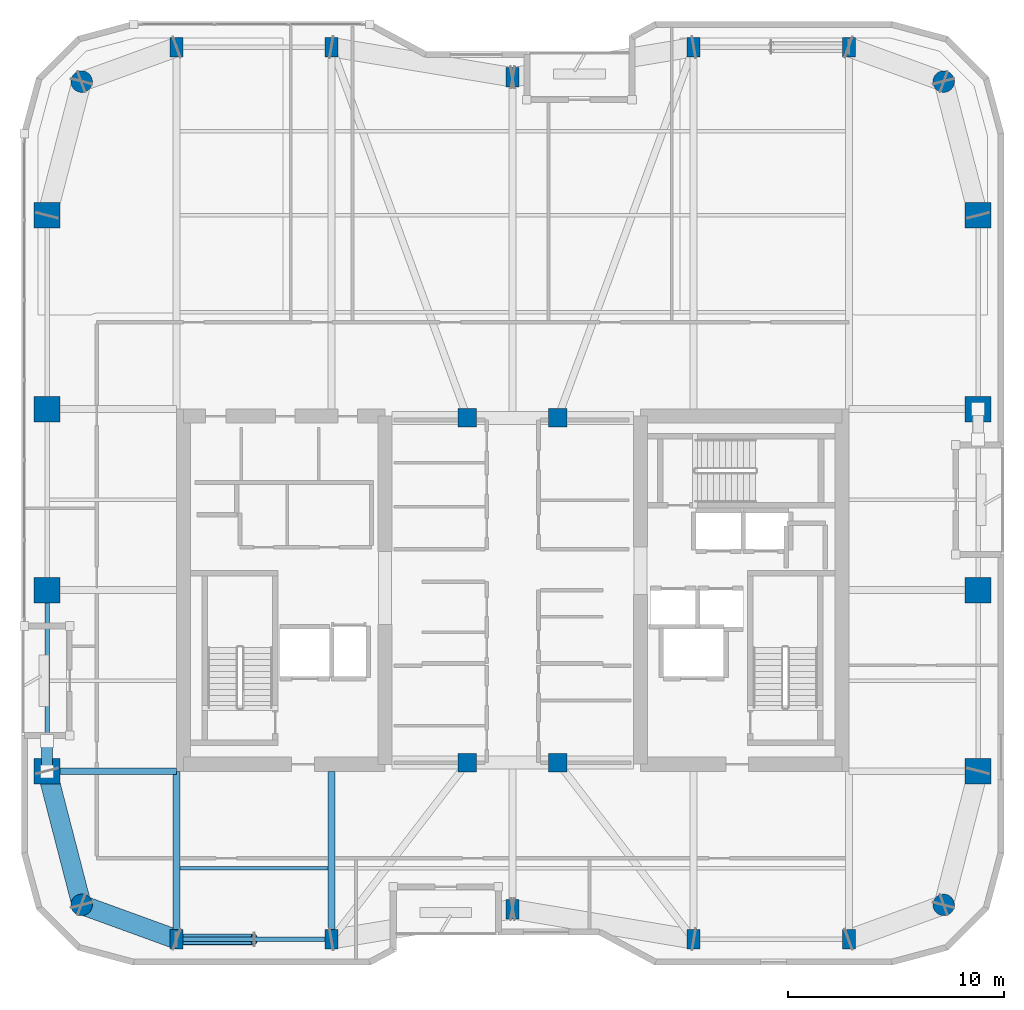
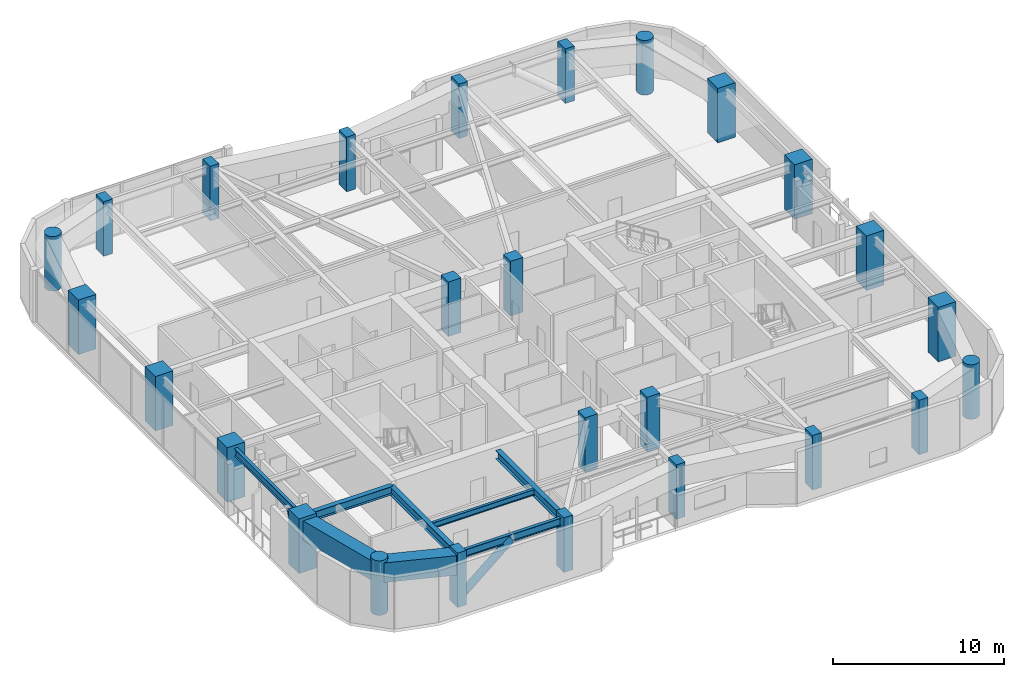
# One storey, part 1 of 21: 26 columns, 8 beams, 2 members.
"""IFC4 building model written with IfcOpenShell, lengths in metres."""

from ifc_helpers import new_model, si_unit, direction, frame, origin, origin_2d, place, context, subcontext, project, spatial, rectangle, hollow_rectangle, circle, hollow_circle, i_section, extrude, material, material_profile, profile_set, type_object, element, save


model = new_model("IFC4")

# Units and contexts
model_context = context("Model", 3, precision=1e-05, world=origin(), true_north=direction((0.0, 1.0)))
body_context = subcontext(model_context, "Body", "Model", "MODEL_VIEW")
ifc_project = project(units=[si_unit("LENGTHUNIT", "METRE"), si_unit("AREAUNIT", "SQUARE_METRE"), si_unit("VOLUMEUNIT", "CUBIC_METRE"), si_unit("PLANEANGLEUNIT", "RADIAN"), si_unit("MASSUNIT", "GRAM", prefix="KILO")], contexts=[model_context])

# Site, building, storey
site_placement = place(None, origin())
site = spatial("IfcSite", under=ifc_project, at=site_placement, CompositionType="ELEMENT")
building_placement = place(site_placement, origin())
building = spatial("IfcBuilding", under=site, at=building_placement, Name="Kiyonajd Concourse Tower", CompositionType="ELEMENT")
storey_placement = place(building_placement, frame((0.0, 0.0, 227.10009765625)))
storey = spatial("IfcBuildingStorey", under=building, at=storey_placement, Name="L57", CompositionType="ELEMENT", Elevation=227.10009765625)

# Columns
ifc_material_1 = material(Name="Concrete C60/75", Category="concrete")
ifc_material_profile_1 = material_profile(ifc_material_1, rectangle(XDim=0.60009765625, YDim=0.89990234375, at=origin_2d()), Name="RC-900x600")
ifc_profile_set_1 = profile_set([ifc_material_profile_1], Name="Concrete C60/75")
column_type_1 = type_object("IfcColumnType", Name="CL-BLADE-900", PredefinedType="COLUMN", material=ifc_profile_set_1)
for number, where, z_axis, x_axis, name in (
    (1, (32.39990234375, 19.800048828125, 0.0), (0.0, 0.0, 1.0), (1.0, 0.0, 0.0), "L57 Perimeter Bundled Tube Column"),
    (2, (32.39990234375, 61.199951171875, 0.0), (0.0, 0.0, 1.0), (1.0, 0.0, 0.0), "L57 Perimeter Bundled Tube Column"),
    (3, (39.60009765625, 19.800048828125, 0.0), (0.0, 0.0, 1.0), (1.0, 0.0, 0.0), "L57 Perimeter Bundled Tube Column"),
    (4, (39.60009765625, 61.199951171875, 0.0), (0.0, 0.0, 1.0), (1.0, 0.0, 0.0), "L57 Perimeter Bundled Tube Column"),
    (5, (48.0, 21.199951171875, 0.0), (0.0, 0.0, 1.0), (1.0, 0.0, 0.0), "L57 Perimeter Bundled Tube Column"),
    (6, (48.0, 59.800048828125, 0.0), (0.0, 0.0, 1.0), (1.0, 0.0, 0.0), "L57 Perimeter Bundled Tube Column"),
    (7, (56.39990234375, 19.800048828125, 0.0), (0.0, 0.0, 1.0), (1.0, 0.0, 0.0), "L57 Perimeter Bundled Tube Column"),
    (8, (56.39990234375, 61.199951171875, 0.0), (0.0, 0.0, 1.0), (1.0, 0.0, 0.0), "L57 Perimeter Bundled Tube Column"),
    (9, (63.60009765625, 19.800048828125, 0.0), (0.0, 0.0, 1.0), (1.0, 0.0, 0.0), "L57 Perimeter Bundled Tube Column"),
    (10, (63.60009765625, 61.199951171875, 0.0), (0.0, 0.0, 1.0), (1.0, 0.0, 0.0), "L57 Perimeter Bundled Tube Column"),
):
    element("IfcColumn", number, at=place(storey_placement, frame(where, z_axis=z_axis, x_axis=x_axis)), inside=storey, type_object=column_type_1, Name=name, PredefinedType="COLUMN", context=body_context, shape_type="SweptSolid", body=[
        extrude(rectangle(XDim=0.60009765625, YDim=0.89990234375, at=origin_2d()), origin(), (0.0, 0.0, 1.0), 3.89990234375),
    ])
ifc_material_profile_2 = material_profile(ifc_material_1, circle(Radius=0.5, at=origin_2d()), Name="RCC-D1000")
ifc_profile_set_2 = profile_set([ifc_material_profile_2], Name="Concrete C60/75")
column_type_2 = type_object("IfcColumnType", Name="CL-RND-1000", PredefinedType="COLUMN", material=ifc_profile_set_2)
for number, where, z_axis, x_axis, name in (
    (11, (28.0, 21.39990234375, 0.0), (0.0, 0.0, 1.0), (1.0, 0.0, 0.0), "L57 Bundled Tube Corner Column South West"),
    (12, (68.0, 21.39990234375, 0.0), (0.0, 0.0, 1.0), (1.0, 0.0, 0.0), "L57 Bundled Tube Corner Column South East"),
    (13, (68.0, 59.60009765625, 0.0), (0.0, 0.0, 1.0), (1.0, 0.0, 0.0), "L57 Bundled Tube Corner Column North East"),
    (14, (28.0, 59.60009765625, 0.0), (0.0, 0.0, 1.0), (1.0, 0.0, 0.0), "L57 Bundled Tube Corner Column North West"),
):
    element("IfcColumn", number, at=place(storey_placement, frame(where, z_axis=z_axis, x_axis=x_axis)), inside=storey, type_object=column_type_2, Name=name, PredefinedType="COLUMN", context=body_context, shape_type="SweptSolid", body=[
        extrude(circle(Radius=0.5, at=origin_2d()), origin(), (0.0, 0.0, 1.0), 3.89990234375),
    ])
ifc_material_2 = material(Name="Concrete C70/85", Category="concrete")
ifc_material_profile_3 = material_profile(ifc_material_2, rectangle(XDim=1.199951171875, YDim=1.199951171875, at=origin_2d()), Name="RC-1200x1200")
ifc_profile_set_3 = profile_set([ifc_material_profile_3], Name="Concrete C70/85")
column_type_3 = type_object("IfcColumnType", Name="CL-TUBE-1200", PredefinedType="COLUMN", material=ifc_profile_set_3)
for number, where, z_axis, x_axis, name in (
    (15, (26.39990234375, 27.60009765625, 0.0), (0.0, 0.0, 1.0), (1.0, 0.0, 0.0), "L57 Perimeter Bundled Tube Column"),
    (16, (69.60009765625, 27.60009765625, 0.0), (0.0, 0.0, 1.0), (1.0, 0.0, 0.0), "L57 Perimeter Bundled Tube Column"),
    (17, (26.39990234375, 36.0, 0.0), (0.0, 0.0, 1.0), (1.0, 0.0, 0.0), "L57 Perimeter Bundled Tube Column"),
    (18, (69.60009765625, 36.0, 0.0), (0.0, 0.0, 1.0), (1.0, 0.0, 0.0), "L57 Perimeter Bundled Tube Column"),
    (19, (26.39990234375, 44.39990234375, 0.0), (0.0, 0.0, 1.0), (1.0, 0.0, 0.0), "L57 Perimeter Bundled Tube Column"),
    (20, (69.60009765625, 44.39990234375, 0.0), (0.0, 0.0, 1.0), (1.0, 0.0, 0.0), "L57 Perimeter Bundled Tube Column"),
    (21, (26.39990234375, 53.39990234375, 0.0), (0.0, 0.0, 1.0), (1.0, 0.0, 0.0), "L57 Perimeter Bundled Tube Column"),
    (22, (69.60009765625, 53.39990234375, 0.0), (0.0, 0.0, 1.0), (1.0, 0.0, 0.0), "L57 Perimeter Bundled Tube Column"),
):
    element("IfcColumn", number, at=place(storey_placement, frame(where, z_axis=z_axis, x_axis=x_axis)), inside=storey, type_object=column_type_3, Name=name, PredefinedType="COLUMN", context=body_context, shape_type="SweptSolid", body=[
        extrude(rectangle(XDim=1.199951171875, YDim=1.199951171875, at=origin_2d()), origin(), (0.0, 0.0, 1.0), 3.89990234375),
    ])
ifc_material_profile_4 = material_profile(ifc_material_1, rectangle(XDim=0.85009765625, YDim=0.85009765625, at=origin_2d()), Name="RC-850x850")
ifc_profile_set_4 = profile_set([ifc_material_profile_4], Name="Concrete C60/75")
column_type_4 = type_object("IfcColumnType", Name="CL-TUBE-850", PredefinedType="COLUMN", material=ifc_profile_set_4)
for number, where, z_axis, x_axis, name in (
    (23, (45.89990234375, 28.0, 0.0), (0.0, 0.0, 1.0), (1.0, 0.0, 0.0), "L57 Core Tie Column South West"),
    (24, (50.10009765625, 28.0, 0.0), (0.0, 0.0, 1.0), (1.0, 0.0, 0.0), "L57 Core Tie Column South East"),
    (25, (45.89990234375, 44.0, 0.0), (0.0, 0.0, 1.0), (1.0, 0.0, 0.0), "L57 Core Tie Column North West"),
    (26, (50.10009765625, 44.0, 0.0), (0.0, 0.0, 1.0), (1.0, 0.0, 0.0), "L57 Core Tie Column North East"),
):
    element("IfcColumn", number, at=place(storey_placement, frame(where, z_axis=z_axis, x_axis=x_axis)), inside=storey, type_object=column_type_4, Name=name, PredefinedType="COLUMN", context=body_context, shape_type="SweptSolid", body=[
        extrude(rectangle(XDim=0.85009765625, YDim=0.85009765625, at=origin_2d()), origin(), (0.0, 0.0, 1.0), 3.89990234375),
    ])

# Beams
ifc_material_3 = material(Name="Steel ASTM A992 Grade 50", Category="steel")
ifc_material_profile_5 = material_profile(ifc_material_3, i_section(OverallWidth=0.180908203125, OverallDepth=0.4169921875, WebThickness=0.010986328125, FlangeThickness=0.018310546875, at=origin_2d()), Name="W410X85")
ifc_profile_set_5 = profile_set([ifc_material_profile_5], Name="Steel ASTM A992 Grade 50")
beam_type_1 = type_object("IfcBeamType", Name="BM-JST-410", PredefinedType="JOIST", material=ifc_profile_set_5)
beam_1_placement = place(storey_placement, frame((32.56201171875, 23.10009765625, 3.471435546875), z_axis=(1.0, 0.0, 0.0), x_axis=(0.0, 1.0, 0.0)))
element("IfcBeam", 27, at=beam_1_placement, inside=storey, type_object=beam_type_1, Name="L57 Secondary Floor Joist", PredefinedType="JOIST", context=body_context, shape_type="SweptSolid", body=[
    extrude(i_section(OverallWidth=0.180908203125, OverallDepth=0.4169921875, WebThickness=0.010986328125, FlangeThickness=0.018310546875, at=origin_2d()), origin(), (0.0, 0.0, 1.0), 6.8759765625),
])
ifc_material_profile_6 = material_profile(ifc_material_3, i_section(OverallWidth=0.214111328125, OverallDepth=0.549072265625, WebThickness=0.0146484375, FlangeThickness=0.023681640625, at=origin_2d()), Name="W530X138")
ifc_profile_set_6 = profile_set([ifc_material_profile_6], Name="Steel ASTM A992 Grade 50")
beam_type_2 = type_object("IfcBeamType", Name="BM-SPAN-530A", PredefinedType="SPANDREL", material=ifc_profile_set_6)
beam_2_placement = place(storey_placement, frame((32.39990234375, 19.800048828125, 3.405517578125), z_axis=(1.0, 0.0, 0.0), x_axis=(0.0, 1.0, 0.0)))
element("IfcBeam", 28, at=beam_2_placement, inside=storey, type_object=beam_type_2, Name="L57 Perimeter Bundled Tube Spandrel", PredefinedType="SPANDREL", context=body_context, shape_type="SweptSolid", body=[
    extrude(i_section(OverallWidth=0.214111328125, OverallDepth=0.549072265625, WebThickness=0.0146484375, FlangeThickness=0.023681640625, at=origin_2d()), origin(), (0.0, 0.0, 1.0), 7.2001953125),
])
beam_3_placement = place(storey_placement, frame((26.39990234375, 36.0, 3.405517578125), z_axis=(0.0, -1.0, 0.0), x_axis=(1.0, 0.0, 0.0)))
element("IfcBeam", 29, at=beam_3_placement, inside=storey, type_object=beam_type_2, Name="L57 Perimeter Bundled Tube Spandrel", PredefinedType="SPANDREL", context=body_context, shape_type="SweptSolid", body=[
    extrude(i_section(OverallWidth=0.214111328125, OverallDepth=0.549072265625, WebThickness=0.0146484375, FlangeThickness=0.023681640625, at=origin_2d()), origin(), (0.0, 0.0, 1.0), 8.39990234375),
])
ifc_material_profile_7 = material_profile(ifc_material_3, i_section(OverallWidth=0.323974609375, OverallDepth=0.611083984375, WebThickness=0.0126953125, FlangeThickness=0.01904296875, at=origin_2d()), Name="W610X155")
ifc_profile_set_7 = profile_set([ifc_material_profile_7], Name="Steel ASTM A992 Grade 50")
beam_type_3 = type_object("IfcBeamType", Name="BM-TWR-610B", PredefinedType="BEAM", material=ifc_profile_set_7)
for number, where, z_axis, x_axis, name in (
    (30, (32.39990234375, 19.800048828125, 3.37451171875), (0.0, 1.0, 0.0), (-1.0, 0.0, 0.0), "L57 South Lease Girder"),
    (31, (39.60009765625, 19.800048828125, 3.37451171875), (0.0, 1.0, 0.0), (-1.0, 0.0, 0.0), "L57 South Lease Girder"),
):
    element("IfcBeam", number, at=place(storey_placement, frame(where, z_axis=z_axis, x_axis=x_axis)), inside=storey, type_object=beam_type_3, Name=name, PredefinedType="BEAM", context=body_context, shape_type="SweptSolid", body=[
        extrude(i_section(OverallWidth=0.323974609375, OverallDepth=0.611083984375, WebThickness=0.0126953125, FlangeThickness=0.01904296875, at=origin_2d()), origin(), (0.0, 0.0, 1.0), 7.800048828125),
    ])
beam_4_placement = place(storey_placement, frame((26.39990234375, 27.60009765625, 3.37451171875), z_axis=(1.0, 0.0, 0.0), x_axis=(0.0, 1.0, 0.0)))
element("IfcBeam", 32, at=beam_4_placement, inside=storey, type_object=beam_type_3, Name="L57 West Lease Girder", PredefinedType="BEAM", context=body_context, shape_type="SweptSolid", body=[
    extrude(i_section(OverallWidth=0.323974609375, OverallDepth=0.611083984375, WebThickness=0.0126953125, FlangeThickness=0.01904296875, at=origin_2d()), origin(), (0.0, 0.0, 1.0), 6.0),
])
ifc_material_4 = material(Name="Steel ASTM A572 Grade 50", Category="steel")
ifc_material_profile_8 = material_profile(ifc_material_4, hollow_rectangle(XDim=0.89990234375, YDim=1.39990234375, WallThickness=0.070068359375, at=origin_2d()), Name="BOX-1400x900x70")
ifc_profile_set_8 = profile_set([ifc_material_profile_8], Name="Steel ASTM A572 Grade 50")
beam_type_4 = type_object("IfcBeamType", Name="BM-XFER-1400", PredefinedType="BEAM", material=ifc_profile_set_8)
beam_5_placement = place(storey_placement, frame((26.39990234375, 27.60009765625, 2.97998046875), z_axis=(0.249884937687, -0.968275538221, 0.0), x_axis=(0.968275538221, 0.249884937687, 0.0)))
element("IfcBeam", 33, at=beam_5_placement, inside=storey, type_object=beam_type_4, Name="L57 Perimeter Bundled Tube Spandrel", PredefinedType="BEAM", context=body_context, shape_type="SweptSolid", body=[
    extrude(hollow_rectangle(XDim=0.89990234375, YDim=1.39990234375, WallThickness=0.070068359375, at=origin_2d()), origin(), (0.0, 0.0, 1.0), 6.4033203125),
])
beam_6_placement = place(storey_placement, frame((28.0, 21.39990234375, 2.97998046875), z_axis=(0.939801036019, -0.341722127901, 0.0), x_axis=(0.341722127901, 0.939801036019, 0.0)))
element("IfcBeam", 34, at=beam_6_placement, inside=storey, type_object=beam_type_4, Name="L57 Perimeter Bundled Tube Spandrel", PredefinedType="BEAM", context=body_context, shape_type="SweptSolid", body=[
    extrude(hollow_rectangle(XDim=0.89990234375, YDim=1.39990234375, WallThickness=0.070068359375, at=origin_2d()), origin(), (0.0, 0.0, 1.0), 4.681640625),
])

# Members
ifc_material_5 = material(Name="Steel ASTM A500 Grade C", Category="steel")
ifc_material_profile_9 = material_profile(ifc_material_5, hollow_circle(Radius=0.25390625, WallThickness=0.02197265625, at=origin_2d()), Name="CHS-508x22")
ifc_profile_set_9 = profile_set([ifc_material_profile_9], Name="Steel ASTM A500 Grade C")
member_type = type_object("IfcMemberType", Name="MB-PB-MID", PredefinedType="BRACE", material=ifc_profile_set_9)
member_1_placement = place(storey_placement, frame((32.39990234375, 19.800048828125, 0.2998046875), z_axis=(0.765082043761, 0.0, 0.643932811957), x_axis=(0.0, 1.0, 0.0)))
element("IfcMember", 35, at=member_1_placement, inside=storey, type_object=member_type, Name="L57 Upper Zone Hollow Tube Brace PBS", PredefinedType="BRACE", context=body_context, shape_type="SweptSolid", body=[
    extrude(hollow_circle(Radius=0.25390625, WallThickness=0.02197265625, at=origin_2d()), origin(), (0.0, 0.0, 1.0), 4.70556640625),
])
member_2_placement = place(storey_placement, frame((26.39990234375, 27.60009765625, 0.2998046875), z_axis=(0.0, 0.419410666774, 0.907796614114), x_axis=(-1.0, 0.0, 0.0)))
element("IfcMember", 36, at=member_2_placement, inside=storey, type_object=member_type, Name="L57 Upper Zone Hollow Tube Brace PBW", PredefinedType="BRACE", context=body_context, shape_type="SweptSolid", body=[
    extrude(hollow_circle(Radius=0.25390625, WallThickness=0.02197265625, at=origin_2d()), origin(), (0.0, 0.0, 1.0), 3.337890625),
])

save(model, "model.ifc")
